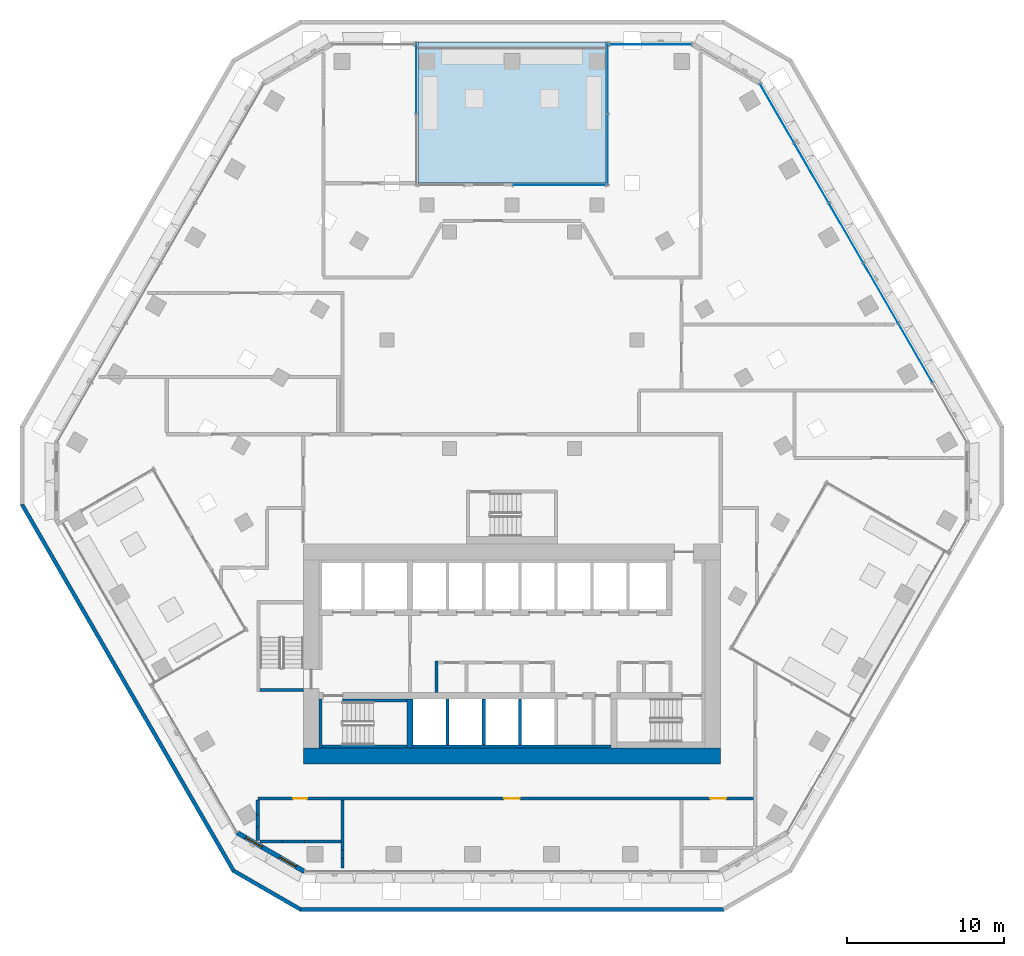
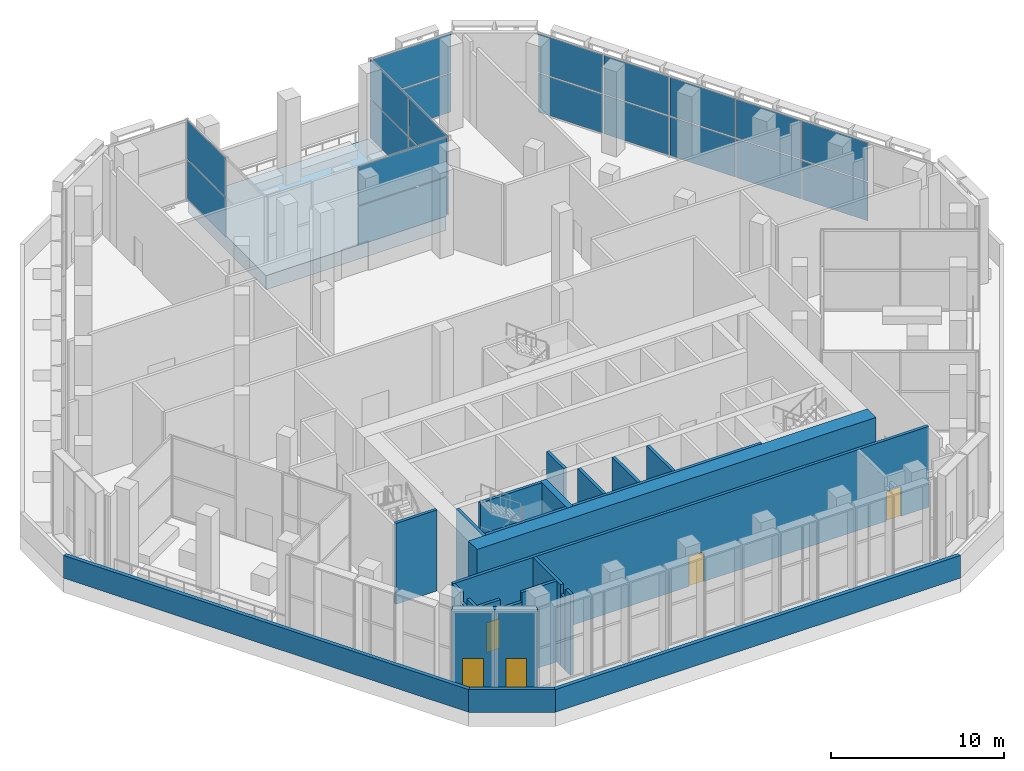
# One storey, part 8 of 23: 25 walls, 20 plates, 3 doors, 2 windows, 1 slab, 5 openings, 5 elements without a shape of their own.
"""IFC4 building model written with IfcOpenShell, lengths in metres."""

from ifc_helpers import new_model, si_unit, direction, frame, frame_2d, origin, origin_2d, place, context, subcontext, project, spatial, polyline, rectangle, outline, extrude, material, layer, layer_set, type_object, element, fill, aggregate, save


model = new_model("IFC4")

# Units and contexts
model_context = context("Model", 3, precision=1e-05, world=origin(), true_north=direction((0.0, 1.0)))
body_context = subcontext(model_context, "Body", "Model", "MODEL_VIEW")
ifc_project = project(units=[si_unit("LENGTHUNIT", "METRE"), si_unit("AREAUNIT", "SQUARE_METRE"), si_unit("VOLUMEUNIT", "CUBIC_METRE"), si_unit("PLANEANGLEUNIT", "RADIAN"), si_unit("MASSUNIT", "GRAM", prefix="KILO")], contexts=[model_context])

# Site, building, storey
site_placement = place(None, origin())
site = spatial("IfcSite", under=ifc_project, at=site_placement, CompositionType="ELEMENT")
building_placement = place(site_placement, origin())
building = spatial("IfcBuilding", under=site, at=building_placement, Name="Beryl Residences", CompositionType="ELEMENT")
storey_placement = place(building_placement, frame((0.0, 0.0, 66.0)))
storey = spatial("IfcBuildingStorey", under=building, at=storey_placement, Name="L20", CompositionType="ELEMENT", Elevation=66.0)

# Curtain wall, plates
ifc_material_1 = material(Name="Aluminium and clear glass", Category="aluminium")
curtain_wall_type = type_object("IfcCurtainWallType", Name="CW3 sky garden glazing glazed wall", PredefinedType="NOTDEFINED", material=ifc_material_1)
curtain_wall_1_placement = place(storey_placement, origin())
curtain_wall_1 = element("IfcCurtainWall", 1, at=curtain_wall_1_placement, inside=storey, type_object=curtain_wall_type, Name="CW3 L20 N", PredefinedType="NOTDEFINED")
ifc_material_2 = material(Name="Clear laminated glass", Category="glass")
ifc_layer_1 = layer(ifc_material_2, 0.028076171875)
ifc_layer_set_1 = layer_set([ifc_layer_1], Name="CW3-P glazing panel 28 mm")
plate_type = type_object("IfcPlateType", Name="CW3-P glazing panel 28 mm", PredefinedType="CURTAIN_PANEL", material=ifc_layer_set_1)
plate_1_placement = place(storey_placement, frame((8.841064453125, 26.85009765625, 0.080078125), z_axis=(0.0, 0.0, 1.0), x_axis=(-1.0, 0.0, 0.0)))
plate_1 = element("IfcPlate", 2, at=plate_1_placement, type_object=plate_type, Name="CW3 panel 1.1", PredefinedType="CURTAIN_PANEL", context=body_context, shape_type="SweptSolid", body=[
    extrude(rectangle(XDim=5.172119140625, YDim=0.028076171875, at=origin_2d()), origin(), (0.0, 0.0, 1.0), 2.72998046875),
])
plate_2_placement = place(storey_placement, frame((8.841064453125, 26.85009765625, 2.889892578125), z_axis=(0.0, 0.0, 1.0), x_axis=(-1.0, 0.0, 0.0)))
plate_2 = element("IfcPlate", 3, at=plate_2_placement, type_object=plate_type, Name="CW3 panel 1.2", PredefinedType="CURTAIN_PANEL", context=body_context, shape_type="SweptSolid", body=[
    extrude(rectangle(XDim=5.172119140625, YDim=0.028076171875, at=origin_2d()), origin(), (0.0, 0.0, 1.0), 2.72998046875),
])
aggregate(curtain_wall_1, [plate_1, plate_2])

curtain_wall_2_placement = place(storey_placement, origin())
curtain_wall_2 = element("IfcCurtainWall", 4, at=curtain_wall_2_placement, inside=storey, type_object=curtain_wall_type, Name="CW3 L20 NE", PredefinedType="NOTDEFINED")
plate_3_placement = place(storey_placement, frame((25.697265625, 7.1923828125, 0.080078125), z_axis=(0.0, 0.0, 1.0), x_axis=(-0.500010149942, 0.866019543634, 0.0)))
plate_3 = element("IfcPlate", 5, at=plate_3_placement, type_object=plate_type, Name="CW3 panel 2.1", PredefinedType="CURTAIN_PANEL", context=body_context, shape_type="SweptSolid", body=[
    extrude(rectangle(XDim=4.3330078125, YDim=0.028076171875, at=origin_2d()), origin(), (0.0, 0.0, 1.0), 2.72998046875),
])
plate_4_placement = place(storey_placement, frame((25.697265625, 7.1923828125, 2.889892578125), z_axis=(0.0, 0.0, 1.0), x_axis=(-0.500010149942, 0.866019543634, 0.0)))
plate_4 = element("IfcPlate", 6, at=plate_4_placement, type_object=plate_type, Name="CW3 panel 2.2", PredefinedType="CURTAIN_PANEL", context=body_context, shape_type="SweptSolid", body=[
    extrude(rectangle(XDim=4.3330078125, YDim=0.028076171875, at=origin_2d()), origin(), (0.0, 0.0, 1.0), 2.72998046875),
])
plate_5_placement = place(storey_placement, frame((23.49072265625, 11.01416015625, 0.080078125), z_axis=(0.0, 0.0, 1.0), x_axis=(-0.500010149942, 0.866019543634, 0.0)))
plate_5 = element("IfcPlate", 7, at=plate_5_placement, type_object=plate_type, Name="CW3 panel 3.1", PredefinedType="CURTAIN_PANEL", context=body_context, shape_type="SweptSolid", body=[
    extrude(rectangle(XDim=4.3330078125, YDim=0.028076171875, at=origin_2d()), origin(), (0.0, 0.0, 1.0), 2.72998046875),
])
plate_6_placement = place(storey_placement, frame((23.49072265625, 11.01416015625, 2.889892578125), z_axis=(0.0, 0.0, 1.0), x_axis=(-0.500010149942, 0.866019543634, 0.0)))
plate_6 = element("IfcPlate", 8, at=plate_6_placement, type_object=plate_type, Name="CW3 panel 3.2", PredefinedType="CURTAIN_PANEL", context=body_context, shape_type="SweptSolid", body=[
    extrude(rectangle(XDim=4.3330078125, YDim=0.028076171875, at=origin_2d()), origin(), (0.0, 0.0, 1.0), 2.72998046875),
])
plate_7_placement = place(storey_placement, frame((21.2841796875, 14.8359375, 0.080078125), z_axis=(0.0, 0.0, 1.0), x_axis=(-0.500010149942, 0.866019543634, 0.0)))
plate_7 = element("IfcPlate", 9, at=plate_7_placement, type_object=plate_type, Name="CW3 panel 4.1", PredefinedType="CURTAIN_PANEL", context=body_context, shape_type="SweptSolid", body=[
    extrude(rectangle(XDim=4.3330078125, YDim=0.028076171875, at=origin_2d()), origin(), (0.0, 0.0, 1.0), 2.72998046875),
])
plate_8_placement = place(storey_placement, frame((21.2841796875, 14.8359375, 2.889892578125), z_axis=(0.0, 0.0, 1.0), x_axis=(-0.500010149942, 0.866019543634, 0.0)))
plate_8 = element("IfcPlate", 10, at=plate_8_placement, type_object=plate_type, Name="CW3 panel 4.2", PredefinedType="CURTAIN_PANEL", context=body_context, shape_type="SweptSolid", body=[
    extrude(rectangle(XDim=4.3330078125, YDim=0.028076171875, at=origin_2d()), origin(), (0.0, 0.0, 1.0), 2.72998046875),
])
plate_9_placement = place(storey_placement, frame((19.07763671875, 18.657470703125, 0.080078125), z_axis=(0.0, 0.0, 1.0), x_axis=(-0.500010149942, 0.866019543634, 0.0)))
plate_9 = element("IfcPlate", 11, at=plate_9_placement, type_object=plate_type, Name="CW3 panel 5.1", PredefinedType="CURTAIN_PANEL", context=body_context, shape_type="SweptSolid", body=[
    extrude(rectangle(XDim=4.3330078125, YDim=0.028076171875, at=origin_2d()), origin(), (0.0, 0.0, 1.0), 2.72998046875),
])
plate_10_placement = place(storey_placement, frame((19.07763671875, 18.657470703125, 2.889892578125), z_axis=(0.0, 0.0, 1.0), x_axis=(-0.500010149942, 0.866019543634, 0.0)))
plate_10 = element("IfcPlate", 12, at=plate_10_placement, type_object=plate_type, Name="CW3 panel 5.2", PredefinedType="CURTAIN_PANEL", context=body_context, shape_type="SweptSolid", body=[
    extrude(rectangle(XDim=4.3330078125, YDim=0.028076171875, at=origin_2d()), origin(), (0.0, 0.0, 1.0), 2.72998046875),
])
plate_11_placement = place(storey_placement, frame((16.88134765625, 22.4619140625, 0.080078125), z_axis=(0.0, 0.0, 1.0), x_axis=(-0.500010149942, 0.866019543634, 0.0)))
plate_11 = element("IfcPlate", 13, at=plate_11_placement, type_object=plate_type, Name="CW3 panel 6.1", PredefinedType="CURTAIN_PANEL", context=body_context, shape_type="SweptSolid", body=[
    extrude(rectangle(XDim=4.29296875, YDim=0.028076171875, at=origin_2d()), origin(), (0.0, 0.0, 1.0), 2.72998046875),
])
plate_12_placement = place(storey_placement, frame((16.88134765625, 22.4619140625, 2.889892578125), z_axis=(0.0, 0.0, 1.0), x_axis=(-0.500010149942, 0.866019543634, 0.0)))
plate_12 = element("IfcPlate", 14, at=plate_12_placement, type_object=plate_type, Name="CW3 panel 6.2", PredefinedType="CURTAIN_PANEL", context=body_context, shape_type="SweptSolid", body=[
    extrude(rectangle(XDim=4.29296875, YDim=0.028076171875, at=origin_2d()), origin(), (0.0, 0.0, 1.0), 2.72998046875),
])
aggregate(curtain_wall_2, [plate_3, plate_4, plate_5, plate_6, plate_7, plate_8, plate_9, plate_10, plate_11, plate_12])

curtain_wall_3_placement = place(storey_placement, origin())
curtain_wall_3 = element("IfcCurtainWall", 15, at=curtain_wall_3_placement, inside=storey, type_object=curtain_wall_type, Name="CW3 L20 N garden back", PredefinedType="NOTDEFINED")
plate_13_placement = place(storey_placement, frame((3.012451171875, 17.89990234375, 0.080078125), z_axis=(0.0, 0.0, 1.0), x_axis=(-1.0, 0.0, 0.0)))
plate_13 = element("IfcPlate", 16, at=plate_13_placement, type_object=plate_type, Name="CW3 panel 1.1", PredefinedType="CURTAIN_PANEL", context=body_context, shape_type="SweptSolid", body=[
    extrude(rectangle(XDim=5.864990234375, YDim=0.028076171875, at=origin_2d()), origin(), (0.0, 0.0, 1.0), 2.72998046875),
])
plate_14_placement = place(storey_placement, frame((3.012451171875, 17.89990234375, 2.889892578125), z_axis=(0.0, 0.0, 1.0), x_axis=(-1.0, 0.0, 0.0)))
plate_14 = element("IfcPlate", 17, at=plate_14_placement, type_object=plate_type, Name="CW3 panel 1.2", PredefinedType="CURTAIN_PANEL", context=body_context, shape_type="SweptSolid", body=[
    extrude(rectangle(XDim=5.864990234375, YDim=0.028076171875, at=origin_2d()), origin(), (0.0, 0.0, 1.0), 2.72998046875),
])
aggregate(curtain_wall_3, [plate_13, plate_14])

curtain_wall_4_placement = place(storey_placement, origin())
curtain_wall_4 = element("IfcCurtainWall", 18, at=curtain_wall_4_placement, inside=storey, type_object=curtain_wall_type, Name="CW3 L20 N garden left", PredefinedType="NOTDEFINED")
plate_15_placement = place(storey_placement, frame((6.10009765625, 24.686279296875, 0.080078125), z_axis=(0.0, 0.0, 1.0), x_axis=(0.0, -1.0, 0.0)))
plate_15 = element("IfcPlate", 19, at=plate_15_placement, type_object=plate_type, Name="CW3 panel 1.1", PredefinedType="CURTAIN_PANEL", context=body_context, shape_type="SweptSolid", body=[
    extrude(rectangle(XDim=4.467529296875, YDim=0.028076171875, at=origin_2d()), origin(), (0.0, 0.0, 1.0), 2.72998046875),
])
plate_16_placement = place(storey_placement, frame((6.10009765625, 24.686279296875, 2.889892578125), z_axis=(0.0, 0.0, 1.0), x_axis=(0.0, -1.0, 0.0)))
plate_16 = element("IfcPlate", 20, at=plate_16_placement, type_object=plate_type, Name="CW3 panel 1.2", PredefinedType="CURTAIN_PANEL", context=body_context, shape_type="SweptSolid", body=[
    extrude(rectangle(XDim=4.467529296875, YDim=0.028076171875, at=origin_2d()), origin(), (0.0, 0.0, 1.0), 2.72998046875),
])
plate_17_placement = place(storey_placement, frame((6.10009765625, 20.138671875, 0.080078125), z_axis=(0.0, 0.0, 1.0), x_axis=(0.0, -1.0, 0.0)))
plate_17 = element("IfcPlate", 21, at=plate_17_placement, type_object=plate_type, Name="CW3 panel 2.1", PredefinedType="CURTAIN_PANEL", context=body_context, shape_type="SweptSolid", body=[
    extrude(rectangle(XDim=4.467529296875, YDim=0.028076171875, at=origin_2d()), origin(), (0.0, 0.0, 1.0), 2.72998046875),
])
plate_18_placement = place(storey_placement, frame((6.10009765625, 20.138671875, 2.889892578125), z_axis=(0.0, 0.0, 1.0), x_axis=(0.0, -1.0, 0.0)))
plate_18 = element("IfcPlate", 22, at=plate_18_placement, type_object=plate_type, Name="CW3 panel 2.2", PredefinedType="CURTAIN_PANEL", context=body_context, shape_type="SweptSolid", body=[
    extrude(rectangle(XDim=4.467529296875, YDim=0.028076171875, at=origin_2d()), origin(), (0.0, 0.0, 1.0), 2.72998046875),
])
aggregate(curtain_wall_4, [plate_15, plate_16, plate_17, plate_18])

curtain_wall_5_placement = place(storey_placement, origin())
curtain_wall_5 = element("IfcCurtainWall", 23, at=curtain_wall_5_placement, inside=storey, type_object=curtain_wall_type, Name="CW3 L20 N garden right", PredefinedType="NOTDEFINED")
plate_19_placement = place(storey_placement, frame((-6.10009765625, 24.686279296875, 0.080078125), z_axis=(0.0, 0.0, 1.0), x_axis=(0.0, -1.0, 0.0)))
plate_19 = element("IfcPlate", 24, at=plate_19_placement, type_object=plate_type, Name="CW3 panel 1.1", PredefinedType="CURTAIN_PANEL", context=body_context, shape_type="SweptSolid", body=[
    extrude(rectangle(XDim=4.467529296875, YDim=0.028076171875, at=origin_2d()), origin(), (0.0, 0.0, 1.0), 2.72998046875),
])
plate_20_placement = place(storey_placement, frame((-6.10009765625, 24.686279296875, 2.889892578125), z_axis=(0.0, 0.0, 1.0), x_axis=(0.0, -1.0, 0.0)))
plate_20 = element("IfcPlate", 25, at=plate_20_placement, type_object=plate_type, Name="CW3 panel 1.2", PredefinedType="CURTAIN_PANEL", context=body_context, shape_type="SweptSolid", body=[
    extrude(rectangle(XDim=4.467529296875, YDim=0.028076171875, at=origin_2d()), origin(), (0.0, 0.0, 1.0), 2.72998046875),
])
aggregate(curtain_wall_5, [plate_19, plate_20])

# Slab
ifc_material_3 = material(Name="Concrete C60/75", Category="concrete")
ifc_layer_2 = layer(ifc_material_3, 1.0)
ifc_layer_set_2 = layer_set([ifc_layer_2], Name="SL10 garden slab 1000 mm C60/75")
slab_type = type_object("IfcSlabType", Name="SL10 garden slab 1000 mm C60/75", PredefinedType="FLOOR", material=ifc_layer_set_2)
slab_placement = place(storey_placement, frame((0.0, 0.0, -1.0)))
element("IfcSlab", 26, at=slab_placement, inside=storey, type_object=slab_type, Name="garden L20 N 1", PredefinedType="FLOOR", context=body_context, shape_type="SweptSolid", body=[
    extrude(outline(polyline([(-6.0, 27.0), (6.0, 27.0), (6.0, 18.0), (-6.0, 18.0), (-6.0, 27.0)])), origin(), (0.0, 0.0, 1.0), 1.0),
])

# Wall, openings, windows
ifc_material_4 = material(Name="Composite metal panel with mineral wool insulation")
ifc_layer_3 = layer(ifc_material_4, 0.300048828125)
ifc_layer_set_3 = layer_set([ifc_layer_3], Name="ES1 pale metal composite panel wall 300 mm")
wall_type_1 = type_object("IfcWallType", Name="ES1 pale metal composite panel wall 300 mm", PredefinedType="SOLIDWALL", material=ifc_layer_set_3)
wall_1_placement = place(storey_placement, frame((-17.533935546875, -23.3701171875, 0.0), z_axis=(0.0, 0.0, 1.0), x_axis=(0.866010750942, -0.50002537861, 0.0)))
wall_1 = element("IfcWall", 27, at=wall_1_placement, inside=storey, type_object=wall_type_1, Name="ES1 external wall L20 SW-S", PredefinedType="SOLIDWALL", context=body_context, shape_type="SweptSolid", body=[
    extrude(outline(polyline([(0.0, -0.14990234375), (4.999755859375, -0.14990234375), (4.91943359375, 0.14990234375), (0.080322265625, 0.14990234375), (0.0, -0.14990234375)])), origin(), (0.0, 0.0, 1.0), 5.699951171875),
])
opening_1_placement = place(wall_1_placement, frame((0.64990234375, 0.0, 0.14990234375)))
opening_1 = element("IfcOpeningElement", 28, at=opening_1_placement, cuts=wall_1, Name="Opening W2", PredefinedType="OPENING", context=body_context, shape_type="SweptSolid", body=[
    extrude(rectangle(XDim=1.199951171875, YDim=2.10009765625, at=frame_2d((0.60009765625, 1.050048828125))), frame((0.0, 0.159912109375, 0.0), z_axis=(0.0, -1.0, 0.0), x_axis=(1.0, 0.0, 0.0)), (0.0, 0.0, 1.0), 0.320068359375),
])
opening_2_placement = place(wall_1_placement, frame((3.14990234375, 0.0, 0.14990234375)))
opening_2 = element("IfcOpeningElement", 29, at=opening_2_placement, cuts=wall_1, Name="Opening W2", PredefinedType="OPENING", context=body_context, shape_type="SweptSolid", body=[
    extrude(rectangle(XDim=1.199951171875, YDim=2.10009765625, at=frame_2d((0.60009765625, 1.050048828125))), frame((0.0, 0.159912109375, 0.0), z_axis=(0.0, -1.0, 0.0), x_axis=(1.0, 0.0, 0.0)), (0.0, 0.0, 1.0), 0.320068359375),
])
ifc_material_5 = material(Name="Aluminium and clear glass", Category="aluminium")
window_type = type_object("IfcWindowType", Name="W2 chamfer window 1200 x 2100 mm", PartitioningType="SINGLE_PANEL", PredefinedType="WINDOW", material=ifc_material_5)
window_1_placement = place(opening_1_placement, origin())
window_1 = element("IfcWindow", 30, at=window_1_placement, inside=storey, type_object=window_type, Name="W2 window L20 SW-S 1", OverallHeight=2.10009765625, OverallWidth=1.199951171875, PartitioningType="SINGLE_PANEL", PredefinedType="WINDOW", context=body_context, shape_type="SweptSolid", body=[
    extrude(rectangle(XDim=1.199951171875, YDim=2.10009765625, at=frame_2d((0.60009765625, 1.050048828125))), frame((0.0, 0.030029296875, 0.0), z_axis=(0.0, -1.0, 0.0), x_axis=(1.0, 0.0, 0.0)), (0.0, 0.0, 1.0), 0.06005859375),
])
fill(opening_1, window_1)
window_2_placement = place(opening_2_placement, origin())
window_2 = element("IfcWindow", 31, at=window_2_placement, inside=storey, type_object=window_type, Name="W2 window L20 SW-S 2", OverallHeight=2.10009765625, OverallWidth=1.199951171875, PartitioningType="SINGLE_PANEL", PredefinedType="WINDOW", context=body_context, shape_type="SweptSolid", body=[
    extrude(rectangle(XDim=1.199951171875, YDim=2.10009765625, at=frame_2d((0.60009765625, 1.050048828125))), frame((0.0, 0.030029296875, 0.0), z_axis=(0.0, -1.0, 0.0), x_axis=(1.0, 0.0, 0.0)), (0.0, 0.0, 1.0), 0.06005859375),
])
fill(opening_2, window_2)

# Walls
ifc_material_6 = material(Name="Precast concrete C40/50", Category="concrete")
ifc_layer_4 = layer(ifc_material_6, 0.25)
ifc_layer_set_4 = layer_set([ifc_layer_4], Name="PA1 roof parapet 250 mm")
wall_type_2 = type_object("IfcWallType", Name="PA1 roof parapet 250 mm", PredefinedType="PARAPET", material=ifc_layer_set_4)
wall_2_placement = place(storey_placement, frame((13.510986328125, -28.27490234375, 0.0), z_axis=(0.0, 0.0, 1.0), x_axis=(-1.0, 0.0, 0.0)))
element("IfcWall", 32, at=wall_2_placement, inside=storey, type_object=wall_type_2, Name="PA1 parapet L20 strip 6", PredefinedType="PARAPET", context=body_context, shape_type="SweptSolid", body=[
    extrude(outline(polyline([(0.06689453125, -0.125), (26.955078125, -0.125), (27.02197265625, 0.125), (0.0, 0.125), (0.06689453125, -0.125)])), origin(), (0.0, 0.0, 1.0), 1.60009765625),
])
wall_3_placement = place(storey_placement, frame((-13.447998046875, -28.2919921875, 0.0), z_axis=(0.0, 0.0, 1.0), x_axis=(-0.865889515344, 0.500235291855, 0.0)))
element("IfcWall", 33, at=wall_3_placement, inside=storey, type_object=wall_type_2, Name="PA1 parapet L20 strip 7", PredefinedType="PARAPET", context=body_context, shape_type="SweptSolid", body=[
    extrude(outline(polyline([(0.06689453125, -0.125), (4.9326171875, -0.125), (4.99951171875, 0.125), (0.0, 0.125), (0.06689453125, -0.125)])), origin(), (0.0, 0.0, 1.0), 1.60009765625),
])
wall_4_placement = place(storey_placement, frame((-17.73095703125, -25.8369140625, 0.0), z_axis=(0.0, 0.0, 1.0), x_axis=(-0.500044695558, 0.865999597254, 0.0)))
element("IfcWall", 34, at=wall_4_placement, inside=storey, type_object=wall_type_2, Name="PA1 parapet L20 strip 8", PredefinedType="PARAPET", context=body_context, shape_type="SweptSolid", body=[
    extrude(outline(polyline([(0.06689453125, -0.125), (26.95263671875, -0.125), (27.01953125, 0.125), (0.0, 0.125), (0.06689453125, -0.125)])), origin(), (0.0, 0.0, 1.0), 1.60009765625),
])
ifc_material_7 = material(Name="Cement board with tiles")
ifc_layer_5 = layer(ifc_material_7, 0.199951171875)
ifc_layer_set_5 = layer_set([ifc_layer_5], Name="PT11-200 wet area wall 200 mm")
wall_type_3 = type_object("IfcWallType", Name="PT11-200 wet area wall 200 mm", PredefinedType="PARTITIONING", material=ifc_layer_set_5)
wall_5_placement = place(storey_placement, frame((-16.069091796875, -23.949951171875, 0.0), z_axis=(0.0, 0.0, 1.0), x_axis=(1.0, 0.0, 0.0)))
element("IfcWall", 35, at=wall_5_placement, inside=storey, type_object=wall_type_3, Name="Wall PT11-200 L20 004", PredefinedType="PARTITIONING", context=body_context, shape_type="SweptSolid", body=[
    extrude(rectangle(XDim=1.402099609375, YDim=0.199951171875, at=frame_2d((0.701171875, 0.0))), origin(), (0.0, 0.0, 1.0), 5.699951171875),
])
wall_6_placement = place(storey_placement, frame((-14.6669921875, -23.949951171875, 0.0), z_axis=(0.0, 0.0, 1.0), x_axis=(1.0, 0.0, 0.0)))
element("IfcWall", 36, at=wall_6_placement, inside=storey, type_object=wall_type_3, Name="Wall PT11-200 L20 005", PredefinedType="PARTITIONING", context=body_context, shape_type="SweptSolid", body=[
    extrude(rectangle(XDim=1.447021484375, YDim=0.199951171875, at=frame_2d((0.7236328125, 0.0))), origin(), (0.0, 0.0, 1.0), 5.02001953125),
])
wall_7_placement = place(storey_placement, frame((-13.219970703125, -23.949951171875, 0.0), z_axis=(0.0, 0.0, 1.0), x_axis=(1.0, 0.0, 0.0)))
element("IfcWall", 37, at=wall_7_placement, inside=storey, type_object=wall_type_3, Name="Wall PT11-200 L20 006", PredefinedType="PARTITIONING", context=body_context, shape_type="SweptSolid", body=[
    extrude(rectangle(XDim=2.320068359375, YDim=0.199951171875, at=frame_2d((1.16015625, 0.0))), origin(), (0.0, 0.0, 1.0), 5.699951171875),
])
wall_8_placement = place(storey_placement, frame((-16.199951171875, -23.8740234375, 0.0), z_axis=(0.0, 0.0, 1.0), x_axis=(0.0, 1.0, 0.0)))
element("IfcWall", 38, at=wall_8_placement, inside=storey, type_object=wall_type_3, Name="Wall PT11-200 L20 007", PredefinedType="PARTITIONING", context=body_context, shape_type="SweptSolid", body=[
    extrude(rectangle(XDim=0.85107421875, YDim=0.199951171875, at=frame_2d((0.425537109375, 0.0))), origin(), (0.0, 0.0, 1.0), 5.699951171875),
])
wall_9_placement = place(storey_placement, frame((-16.199951171875, -23.02294921875, 0.0), z_axis=(0.0, 0.0, 1.0), x_axis=(0.0, 1.0, 0.0)))
element("IfcWall", 39, at=wall_9_placement, inside=storey, type_object=wall_type_3, Name="Wall PT11-200 L20 008", PredefinedType="PARTITIONING", context=body_context, shape_type="SweptSolid", body=[
    extrude(rectangle(XDim=0.7509765625, YDim=0.199951171875, at=frame_2d((0.37548828125, 0.0))), origin(), (0.0, 0.0, 1.0), 5.02001953125),
])
wall_10_placement = place(storey_placement, frame((-16.199951171875, -22.27197265625, 0.0), z_axis=(0.0, 0.0, 1.0), x_axis=(0.0, 1.0, 0.0)))
element("IfcWall", 40, at=wall_10_placement, inside=storey, type_object=wall_type_3, Name="Wall PT11-200 L20 009", PredefinedType="PARTITIONING", context=body_context, shape_type="SweptSolid", body=[
    extrude(rectangle(XDim=0.971923828125, YDim=0.199951171875, at=frame_2d((0.48583984375, 0.0))), origin(), (0.0, 0.0, 1.0), 5.699951171875),
])
ifc_material_8 = material(Name="Concrete masonry", Category="masonry")
ifc_layer_6 = layer(ifc_material_8, 0.199951171875)
ifc_layer_set_6 = layer_set([ifc_layer_6], Name="PT13 lobby wall 200 mm")
wall_type_4 = type_object("IfcWallType", Name="PT13 lobby wall 200 mm", PredefinedType="PARTITIONING", material=ifc_layer_set_6)
wall_11_placement = place(storey_placement, frame((-4.800048828125, -14.449951171875, 0.0), z_axis=(0.0, 0.0, 1.0), x_axis=(0.0, 1.0, 0.0)))
element("IfcWall", 41, at=wall_11_placement, inside=storey, type_object=wall_type_4, Name="Lobby wall 14", PredefinedType="PARTITIONING", context=body_context, shape_type="SweptSolid", body=[
    extrude(rectangle(XDim=2.0, YDim=0.199951171875, at=frame_2d((1.0, 0.0))), origin(), (0.0, 0.0, 1.0), 5.699951171875),
])

# Wall, openings, doors
ifc_material_9 = material(Name="Double stud gypsum board wall")
ifc_layer_7 = layer(ifc_material_9, 0.199951171875)
ifc_layer_set_7 = layer_set([ifc_layer_7], Name="PT4 corridor wall 200 mm double stud")
wall_type_5 = type_object("IfcWallType", Name="PT4 corridor wall 200 mm double stud", PredefinedType="PARTITIONING", material=ifc_layer_set_7)
wall_12_placement = place(storey_placement, frame((-16.199951171875, -21.199951171875, 0.0), z_axis=(0.0, 0.0, 1.0), x_axis=(1.0, 0.0, 0.0)))
wall_12 = element("IfcWall", 42, at=wall_12_placement, inside=storey, type_object=wall_type_5, Name="Wall PT4 L20 001", PredefinedType="PARTITIONING", context=body_context, shape_type="SweptSolid", body=[
    extrude(rectangle(XDim=31.699951171875, YDim=0.199951171875, at=frame_2d((15.85009765625, 0.0))), origin(), (0.0, 0.0, 1.0), 5.699951171875),
])
opening_3_placement = place(wall_12_placement, frame((3.15087890625, 0.0, 0.0), z_axis=(0.0, 0.0, 1.0), x_axis=(-1.0, 0.0, 0.0)))
opening_3 = element("IfcOpeningElement", 43, at=opening_3_placement, cuts=wall_12, Name="Opening L20-04", PredefinedType="OPENING", context=body_context, shape_type="SweptSolid", body=[
    extrude(rectangle(XDim=0.89990234375, YDim=2.10009765625, at=frame_2d((0.449951171875, 1.050048828125))), frame((0.0, 0.10986328125, 0.0), z_axis=(0.0, -1.0, 0.0), x_axis=(1.0, 0.0, 0.0)), (0.0, 0.0, 1.0), 0.219970703125),
])
opening_4_placement = place(wall_12_placement, frame((16.699951171875, 0.0, 0.0), z_axis=(0.0, 0.0, 1.0), x_axis=(-1.0, 0.0, 0.0)))
opening_4 = element("IfcOpeningElement", 44, at=opening_4_placement, cuts=wall_12, Name="Opening L20-05", PredefinedType="OPENING", context=body_context, shape_type="SweptSolid", body=[
    extrude(rectangle(XDim=1.0, YDim=2.10009765625, at=frame_2d((0.5, 1.050048828125))), frame((0.0, 0.10986328125, 0.0), z_axis=(0.0, -1.0, 0.0), x_axis=(1.0, 0.0, 0.0)), (0.0, 0.0, 1.0), 0.219970703125),
])
opening_5_placement = place(wall_12_placement, frame((29.847900390625, 0.0, 0.0), z_axis=(0.0, 0.0, 1.0), x_axis=(-1.0, 0.0, 0.0)))
opening_5 = element("IfcOpeningElement", 45, at=opening_5_placement, cuts=wall_12, Name="Opening L20-06", PredefinedType="OPENING", context=body_context, shape_type="SweptSolid", body=[
    extrude(rectangle(XDim=1.0, YDim=2.10009765625, at=frame_2d((0.5, 1.050048828125))), frame((0.0, 0.10986328125, 0.0), z_axis=(0.0, -1.0, 0.0), x_axis=(1.0, 0.0, 0.0)), (0.0, 0.0, 1.0), 0.219970703125),
])
ifc_material_10 = material(Name="Timber door leaf", Category="wood")
door_type_1 = type_object("IfcDoorType", Name="D19 room door 1000 x 2100 mm", OperationType="SINGLE_SWING_LEFT", PredefinedType="DOOR", material=ifc_material_10)
door_1_placement = place(opening_5_placement, origin())
door_1 = element("IfcDoor", 46, at=door_1_placement, inside=storey, type_object=door_type_1, Name="Door L20-06 L20 001", OperationType="SINGLE_SWING_LEFT", OverallHeight=2.10009765625, OverallWidth=1.0, PredefinedType="DOOR", context=body_context, shape_type="SweptSolid", body=[
    extrude(rectangle(XDim=1.0, YDim=2.10009765625, at=frame_2d((0.5, 1.050048828125))), frame((0.0, 0.02490234375, 0.0), z_axis=(0.0, -1.0, 0.0), x_axis=(1.0, 0.0, 0.0)), (0.0, 0.0, 1.0), 0.050048828125),
])
fill(opening_5, door_1)
ifc_material_11 = material(Name="Timber door leaf", Category="wood")
door_type_2 = type_object("IfcDoorType", Name="D2 room door 900 x 2100 mm", OperationType="SINGLE_SWING_LEFT", PredefinedType="DOOR", material=ifc_material_11)
door_2_placement = place(opening_3_placement, origin())
door_2 = element("IfcDoor", 47, at=door_2_placement, inside=storey, type_object=door_type_2, Name="Door L20-04 L20 001", OperationType="SINGLE_SWING_LEFT", OverallHeight=2.10009765625, OverallWidth=0.89990234375, PredefinedType="DOOR", context=body_context, shape_type="SweptSolid", body=[
    extrude(rectangle(XDim=0.89990234375, YDim=2.10009765625, at=frame_2d((0.449951171875, 1.050048828125))), frame((0.0, 0.02490234375, 0.0), z_axis=(0.0, -1.0, 0.0), x_axis=(1.0, 0.0, 0.0)), (0.0, 0.0, 1.0), 0.050048828125),
])
fill(opening_3, door_2)
ifc_material_12 = material(Name="Timber door leaf", Category="wood")
door_type_3 = type_object("IfcDoorType", Name="D9 corridor door 1000 x 2100 mm", OperationType="SINGLE_SWING_LEFT", PredefinedType="DOOR", material=ifc_material_12)
door_3_placement = place(opening_4_placement, origin())
door_3 = element("IfcDoor", 48, at=door_3_placement, inside=storey, type_object=door_type_3, Name="Door L20-05 L20 001", OperationType="SINGLE_SWING_RIGHT", OverallHeight=2.10009765625, OverallWidth=1.0, PredefinedType="DOOR", context=body_context, shape_type="SweptSolid", body=[
    extrude(rectangle(XDim=1.0, YDim=2.10009765625, at=frame_2d((0.5, 1.050048828125))), frame((0.0, 0.02490234375, 0.0), z_axis=(0.0, -1.0, 0.0), x_axis=(1.0, 0.0, 0.0)), (0.0, 0.0, 1.0), 0.050048828125),
])
fill(opening_4, door_3)

# Walls
wall_13_placement = place(storey_placement, frame((-10.800048828125, -25.6201171875, 0.0), z_axis=(0.0, 0.0, 1.0), x_axis=(0.0, 1.0, 0.0)))
element("IfcWall", 49, at=wall_13_placement, inside=storey, type_object=wall_type_5, Name="Wall PT4 L20 017", PredefinedType="PARTITIONING", context=body_context, shape_type="SweptSolid", body=[
    extrude(rectangle(XDim=0.59521484375, YDim=0.199951171875, at=frame_2d((0.297607421875, 0.0))), origin(), (0.0, 0.0, 1.0), 5.699951171875),
])
wall_14_placement = place(storey_placement, frame((-10.800048828125, -25.02490234375, 0.0), z_axis=(0.0, 0.0, 1.0), x_axis=(0.0, 1.0, 0.0)))
element("IfcWall", 50, at=wall_14_placement, inside=storey, type_object=wall_type_5, Name="Wall PT4 L20 018", PredefinedType="PARTITIONING", context=body_context, shape_type="SweptSolid", body=[
    extrude(rectangle(XDim=0.5498046875, YDim=0.199951171875, at=frame_2d((0.27490234375, 0.0))), origin(), (0.0, 0.0, 1.0), 5.02001953125),
])
wall_15_placement = place(storey_placement, frame((-10.800048828125, -24.47509765625, 0.0), z_axis=(0.0, 0.0, 1.0), x_axis=(0.0, 1.0, 0.0)))
element("IfcWall", 51, at=wall_15_placement, inside=storey, type_object=wall_type_5, Name="Wall PT4 L20 019", PredefinedType="PARTITIONING", context=body_context, shape_type="SweptSolid", body=[
    extrude(rectangle(XDim=3.175048828125, YDim=0.199951171875, at=frame_2d((1.58740234375, 0.0))), origin(), (0.0, 0.0, 1.0), 5.699951171875),
])
ifc_material_13 = material(Name="Concrete C40/50", Category="concrete")
ifc_layer_8 = layer(ifc_material_13, 0.199951171875)
ifc_layer_set_8 = layer_set([ifc_layer_8], Name="PT5 stair enclosure wall 200 mm reinforced concrete C40/50")
wall_type_6 = type_object("IfcWallType", Name="PT5 stair enclosure wall 200 mm reinforced concrete C40/50", PredefinedType="SOLIDWALL", material=ifc_layer_set_8)
wall_16_placement = place(storey_placement, frame((-16.050048828125, -14.300048828125, 0.0), z_axis=(0.0, 0.0, 1.0), x_axis=(1.0, 0.0, 0.0)))
element("IfcWall", 52, at=wall_16_placement, inside=storey, type_object=wall_type_6, Name="Stair wall 02", PredefinedType="SOLIDWALL", context=body_context, shape_type="SweptSolid", body=[
    extrude(rectangle(XDim=2.75, YDim=0.199951171875, at=frame_2d((1.375, 0.0))), origin(), (0.0, 0.0, 1.0), 5.699951171875),
])
wall_17_placement = place(storey_placement, frame((-12.199951171875, -18.0, 0.0), z_axis=(0.0, 0.0, 1.0), x_axis=(0.0, 1.0, 0.0)))
element("IfcWall", 53, at=wall_17_placement, inside=storey, type_object=wall_type_6, Name="Stair wall 04", PredefinedType="SOLIDWALL", context=body_context, shape_type="SweptSolid", body=[
    extrude(rectangle(XDim=3.14990234375, YDim=0.199951171875, at=frame_2d((1.574951171875, 0.0))), origin(), (0.0, 0.0, 1.0), 5.699951171875),
])
wall_18_placement = place(storey_placement, frame((-12.10009765625, -17.89990234375, 0.0), z_axis=(0.0, 0.0, 1.0), x_axis=(1.0, 0.0, 0.0)))
element("IfcWall", 54, at=wall_18_placement, inside=storey, type_object=wall_type_6, Name="Stair wall 07", PredefinedType="SOLIDWALL", context=body_context, shape_type="SweptSolid", body=[
    extrude(rectangle(XDim=5.400146484375, YDim=0.199951171875, at=frame_2d((2.7001953125, 0.0))), origin(), (0.0, 0.0, 1.0), 5.699951171875),
])
wall_19_placement = place(storey_placement, frame((-10.800048828125, -14.949951171875, 0.0), z_axis=(0.0, 0.0, 1.0), x_axis=(1.0, 0.0, 0.0)))
element("IfcWall", 55, at=wall_19_placement, inside=storey, type_object=wall_type_6, Name="Stair wall 09", PredefinedType="SOLIDWALL", context=body_context, shape_type="SweptSolid", body=[
    extrude(rectangle(XDim=4.10009765625, YDim=0.199951171875, at=frame_2d((2.050048828125, 0.0))), origin(), (0.0, 0.0, 1.0), 5.699951171875),
])
ifc_material_14 = material(Name="Concrete C40/50", Category="concrete")
ifc_layer_9 = layer(ifc_material_14, 0.199951171875)
ifc_layer_set_9 = layer_set([ifc_layer_9], Name="PT6 lift shaft wall 200 mm reinforced concrete C40/50")
wall_type_7 = type_object("IfcWallType", Name="PT6 lift shaft wall 200 mm reinforced concrete C40/50", PredefinedType="SOLIDWALL", material=ifc_layer_set_9)
wall_20_placement = place(storey_placement, frame((-6.300048828125, -17.89990234375, 0.0), z_axis=(0.0, 0.0, 1.0), x_axis=(1.0, 0.0, 0.0)))
element("IfcWall", 56, at=wall_20_placement, inside=storey, type_object=wall_type_7, Name="Lift shaft wall 12", PredefinedType="SOLIDWALL", context=body_context, shape_type="SweptSolid", body=[
    extrude(rectangle(XDim=12.60009765625, YDim=0.199951171875, at=frame_2d((6.300048828125, 0.0))), origin(), (0.0, 0.0, 1.0), 5.699951171875),
])
for number, where, z_axis, x_axis, name in (
    (57, (-4.10009765625, -17.800048828125, 0.0), (0.0, 0.0, 1.0), (0.0, 1.0, 0.0), "Lift shaft wall 16"),
    (58, (-1.800048828125, -17.800048828125, 0.0), (0.0, 0.0, 1.0), (0.0, 1.0, 0.0), "Lift shaft wall 19"),
    (59, (0.5, -17.800048828125, 0.0), (0.0, 0.0, 1.0), (0.0, 1.0, 0.0), "Lift shaft wall 21"),
):
    element("IfcWall", number, at=place(storey_placement, frame(where, z_axis=z_axis, x_axis=x_axis)), inside=storey, type_object=wall_type_7, Name=name, PredefinedType="SOLIDWALL", context=body_context, shape_type="SweptSolid", body=[
        extrude(rectangle(XDim=2.949951171875, YDim=0.199951171875, at=frame_2d((1.47509765625, 0.0))), origin(), (0.0, 0.0, 1.0), 5.699951171875),
    ])
ifc_material_15 = material(Name="Concrete C70/85", Category="concrete")
ifc_layer_10 = layer(ifc_material_15, 1.0)
ifc_layer_set_10 = layer_set([ifc_layer_10], Name="SW2 core outer wall 1000 mm C70/85")
wall_type_8 = type_object("IfcWallType", Name="SW2 core outer wall 1000 mm C70/85", PredefinedType="SHEAR", material=ifc_layer_set_10)
wall_21_placement = place(storey_placement, frame((-13.300048828125, -18.5, 0.0), z_axis=(0.0, 0.0, 1.0), x_axis=(1.0, 0.0, 0.0)))
element("IfcWall", 60, at=wall_21_placement, inside=storey, type_object=wall_type_8, Name="Core wall S L20", PredefinedType="SHEAR", context=body_context, shape_type="SweptSolid", body=[
    extrude(rectangle(XDim=26.60009765625, YDim=1.0, at=frame_2d((13.300048828125, 0.0))), origin(), (0.0, 0.0, 1.0), 5.699951171875),
])
ifc_material_16 = material(Name="Concrete C70/85", Category="concrete")
ifc_layer_11 = layer(ifc_material_16, 0.39990234375)
ifc_layer_set_11 = layer_set([ifc_layer_11], Name="SW7 core internal wall 400 mm C70/85")
wall_type_9 = type_object("IfcWallType", Name="SW7 core internal wall 400 mm C70/85", PredefinedType="SHEAR", material=ifc_layer_set_11)
wall_22_placement = place(storey_placement, frame((-6.5, -18.0, 0.0), z_axis=(0.0, 0.0, 1.0), x_axis=(0.0, 1.0, 0.0)))
element("IfcWall", 61, at=wall_22_placement, inside=storey, type_object=wall_type_9, Name="Core wall XS1 L20", PredefinedType="SHEAR", context=body_context, shape_type="SweptSolid", body=[
    extrude(rectangle(XDim=3.14990234375, YDim=0.39990234375, at=frame_2d((1.574951171875, 0.0))), origin(), (0.0, 0.0, 1.0), 5.699951171875),
])

save(model, "model.ifc")
